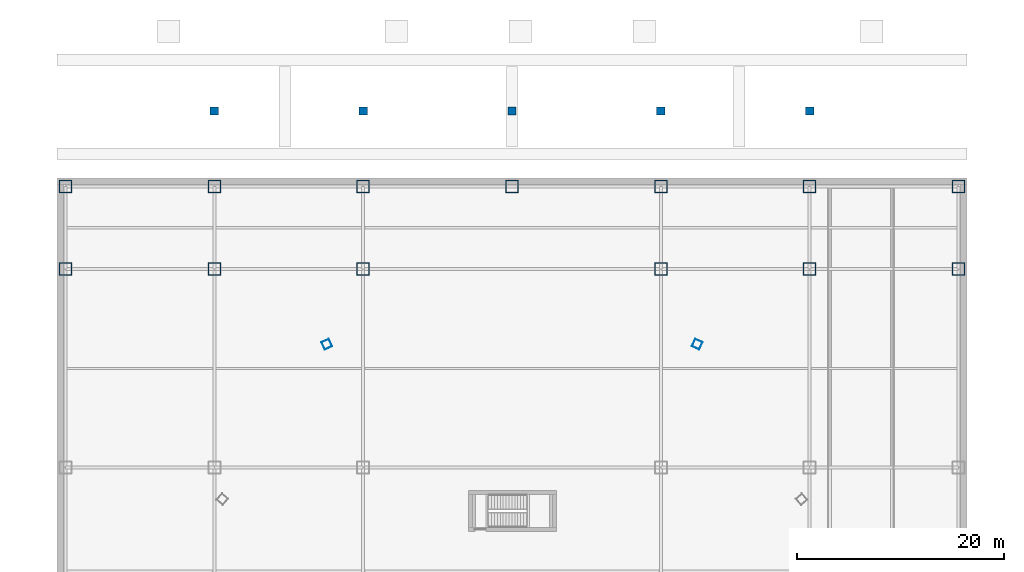
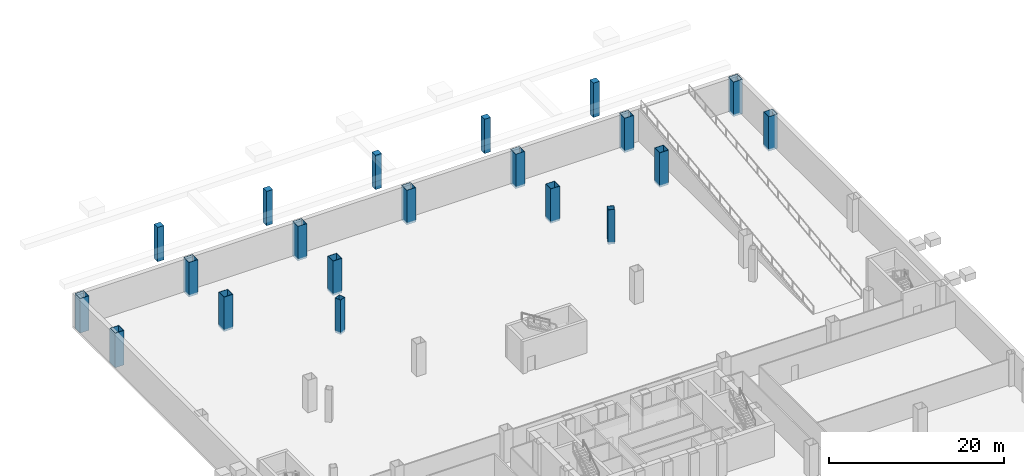
# One storey, part 3 of 16: 20 columns.
"""IFC4 building model written with IfcOpenShell, lengths in metres."""

from ifc_helpers import new_model, si_unit, direction, frame, origin, origin_2d, place, context, subcontext, project, spatial, rectangle, hollow_rectangle, extrude, source, transform, mapped, material, material_profile, profile_set, type_object, element, save


model = new_model("IFC4")

# Units and contexts
model_context = context("Model", 3, precision=1e-05, world=origin(), true_north=direction((0.0, 1.0)))
body_context = subcontext(model_context, "Body", "Model", "MODEL_VIEW")
ifc_project = project(units=[si_unit("LENGTHUNIT", "METRE"), si_unit("AREAUNIT", "SQUARE_METRE"), si_unit("VOLUMEUNIT", "CUBIC_METRE"), si_unit("PLANEANGLEUNIT", "RADIAN"), si_unit("MASSUNIT", "GRAM", prefix="KILO"), si_unit("THERMODYNAMICTEMPERATUREUNIT", "KELVIN"), si_unit("POWERUNIT", "WATT")], contexts=[model_context])

# Site, building, storey
site_placement = place(None, origin())
site = spatial("IfcSite", under=ifc_project, at=site_placement, CompositionType="ELEMENT")
building_placement = place(site_placement, origin())
building = spatial("IfcBuilding", under=site, at=building_placement, Name="Yunzhuo Pagoda Commons", CompositionType="ELEMENT")
storey_placement = place(building_placement, frame((0.0, 0.0, -4.800048828125)))
storey = spatial("IfcBuildingStorey", under=building, at=storey_placement, Name="B01", CompositionType="ELEMENT", Elevation=-4.800048828125)

# Columns
ifc_material_1 = material(Name="Structural steel Q420B", Category="steel")
ifc_material_profile_1 = material_profile(ifc_material_1, hollow_rectangle(XDim=1.199951171875, YDim=1.199951171875, WallThickness=0.050048828125, at=origin_2d()), Name="Structural steel Q420B")
ifc_profile_set_1 = profile_set([ifc_material_profile_1], Name="Structural steel Q420B")
column_type_1 = type_object("IfcColumnType", Name="C-POD Column BOX 1200x1200x50", PredefinedType="COLUMN", material=ifc_profile_set_1)
shared_shape_1 = source(origin(), body_context, "Body", "SweptSolid", [
    extrude(hollow_rectangle(XDim=1.199951171875, YDim=1.199951171875, WallThickness=0.050048828125, at=origin_2d()), origin(), (0.0, 0.0, 1.0), 4.820068359375),
])
for number, where, z_axis, x_axis, name in (
    (1, (4.800048828125, 81.199951171875, -0.300048828125), (0.0, 0.0, 1.0), (1.0, 0.0, 0.0), "B01 podium column P1_5"),
    (2, (19.199951171875, 81.199951171875, -0.300048828125), (0.0, 0.0, 1.0), (1.0, 0.0, 0.0), "B01 podium column P2_5"),
    (3, (33.60009765625, 81.199951171875, -0.300048828125), (0.0, 0.0, 1.0), (1.0, 0.0, 0.0), "B01 podium column P3_5"),
    (4, (62.39990234375, 81.199951171875, -0.300048828125), (0.0, 0.0, 1.0), (1.0, 0.0, 0.0), "B01 podium column P4_5"),
    (5, (76.800048828125, 81.199951171875, -0.300048828125), (0.0, 0.0, 1.0), (1.0, 0.0, 0.0), "B01 podium column P5_5"),
    (6, (91.199951171875, 81.199951171875, -0.300048828125), (0.0, 0.0, 1.0), (1.0, 0.0, 0.0), "B01 podium column P6_5"),
    (7, (4.800048828125, 89.199951171875, -0.300048828125), (0.0, 0.0, 1.0), (1.0, 0.0, 0.0), "B01 north riverfront column NR1"),
    (8, (19.199951171875, 89.199951171875, -0.300048828125), (0.0, 0.0, 1.0), (1.0, 0.0, 0.0), "B01 north riverfront column NR2"),
    (9, (33.60009765625, 89.199951171875, -0.300048828125), (0.0, 0.0, 1.0), (1.0, 0.0, 0.0), "B01 north riverfront column NR3"),
    (10, (48.0, 89.199951171875, -0.300048828125), (0.0, 0.0, 1.0), (1.0, 0.0, 0.0), "B01 north riverfront column NR4"),
    (11, (62.39990234375, 89.199951171875, -0.300048828125), (0.0, 0.0, 1.0), (1.0, 0.0, 0.0), "B01 north riverfront column NR5"),
    (12, (76.800048828125, 89.199951171875, -0.300048828125), (0.0, 0.0, 1.0), (1.0, 0.0, 0.0), "B01 north riverfront column NR6"),
    (13, (91.199951171875, 89.199951171875, -0.300048828125), (0.0, 0.0, 1.0), (1.0, 0.0, 0.0), "B01 north riverfront column NR7"),
):
    element("IfcColumn", number, at=place(storey_placement, frame(where, z_axis=z_axis, x_axis=x_axis)), inside=storey, type_object=column_type_1, Name=name, PredefinedType="COLUMN", context=body_context, shape_type="MappedRepresentation", body=[
        mapped(shared_shape_1, transform((0.0, 0.0, 0.0), scale=1.0)),
    ])
ifc_material_profile_2 = material_profile(ifc_material_1, hollow_rectangle(XDim=0.800048828125, YDim=0.800048828125, WallThickness=0.031982421875, at=origin_2d()), Name="Structural steel Q420B")
ifc_profile_set_2 = profile_set([ifc_material_profile_2], Name="Structural steel Q420B")
column_type_2 = type_object("IfcColumnType", Name="C-BUT Column BOX 800x800x32", PredefinedType="COLUMN", material=ifc_profile_set_2)
shared_shape_2 = source(origin(), body_context, "Body", "SweptSolid", [
    extrude(hollow_rectangle(XDim=0.800048828125, YDim=0.800048828125, WallThickness=0.031982421875, at=origin_2d()), origin(), (0.0, 0.0, 1.0), 4.820068359375),
])
for number, where, z_axis, x_axis, name in (
    (14, (65.91259765625, 73.931884765625, -0.300048828125), (0.0, 0.0, 1.0), (-0.913545457643, 0.406736643076, 0.0), "B01 podium transfer support column PR_F2C4"),
    (15, (30.087890625, 73.931884765625, -0.300048828125), (0.0, 0.0, 1.0), (-0.913545457643, -0.406736643076, 0.0), "B01 podium transfer support column PR_F3C1"),
):
    element("IfcColumn", number, at=place(storey_placement, frame(where, z_axis=z_axis, x_axis=x_axis)), inside=storey, type_object=column_type_2, Name=name, PredefinedType="COLUMN", context=body_context, shape_type="MappedRepresentation", body=[
        mapped(shared_shape_2, transform((0.0, 0.0, 0.0), scale=1.0)),
    ])
ifc_material_2 = material(Name="Concrete C50", Category="concrete")
ifc_material_profile_3 = material_profile(ifc_material_2, rectangle(XDim=0.800048828125, YDim=0.800048828125, at=origin_2d()), Name="Concrete C50")
ifc_profile_set_3 = profile_set([ifc_material_profile_3], Name="Concrete C50")
column_type_3 = type_object("IfcColumnType", Name="C-PIL2 Pilaster RC 800x800", PredefinedType="PILASTER", material=ifc_profile_set_3)
shared_shape_3 = source(origin(), body_context, "Body", "SweptSolid", [
    extrude(rectangle(XDim=0.800048828125, YDim=0.800048828125, at=origin_2d()), origin(), (0.0, 0.0, 1.0), 4.800048828125),
])
for number, where, z_axis, x_axis, name in (
    (16, (19.199951171875, 96.5, 0.0), (0.0, 0.0, 1.0), (1.0, 0.0, 0.0), "Canopy pedestal pier N1"),
    (17, (33.60009765625, 96.5, 0.0), (0.0, 0.0, 1.0), (1.0, 0.0, 0.0), "Canopy pedestal pier N2"),
    (18, (48.0, 96.5, 0.0), (0.0, 0.0, 1.0), (1.0, 0.0, 0.0), "Canopy pedestal pier N3"),
    (19, (62.39990234375, 96.5, 0.0), (0.0, 0.0, 1.0), (1.0, 0.0, 0.0), "Canopy pedestal pier N4"),
    (20, (76.800048828125, 96.5, 0.0), (0.0, 0.0, 1.0), (1.0, 0.0, 0.0), "Canopy pedestal pier N5"),
):
    element("IfcColumn", number, at=place(storey_placement, frame(where, z_axis=z_axis, x_axis=x_axis)), inside=storey, type_object=column_type_3, Name=name, PredefinedType="PILASTER", context=body_context, shape_type="MappedRepresentation", body=[
        mapped(shared_shape_3, transform((0.0, 0.0, 0.0), scale=1.0)),
    ])

save(model, "model.ifc")
